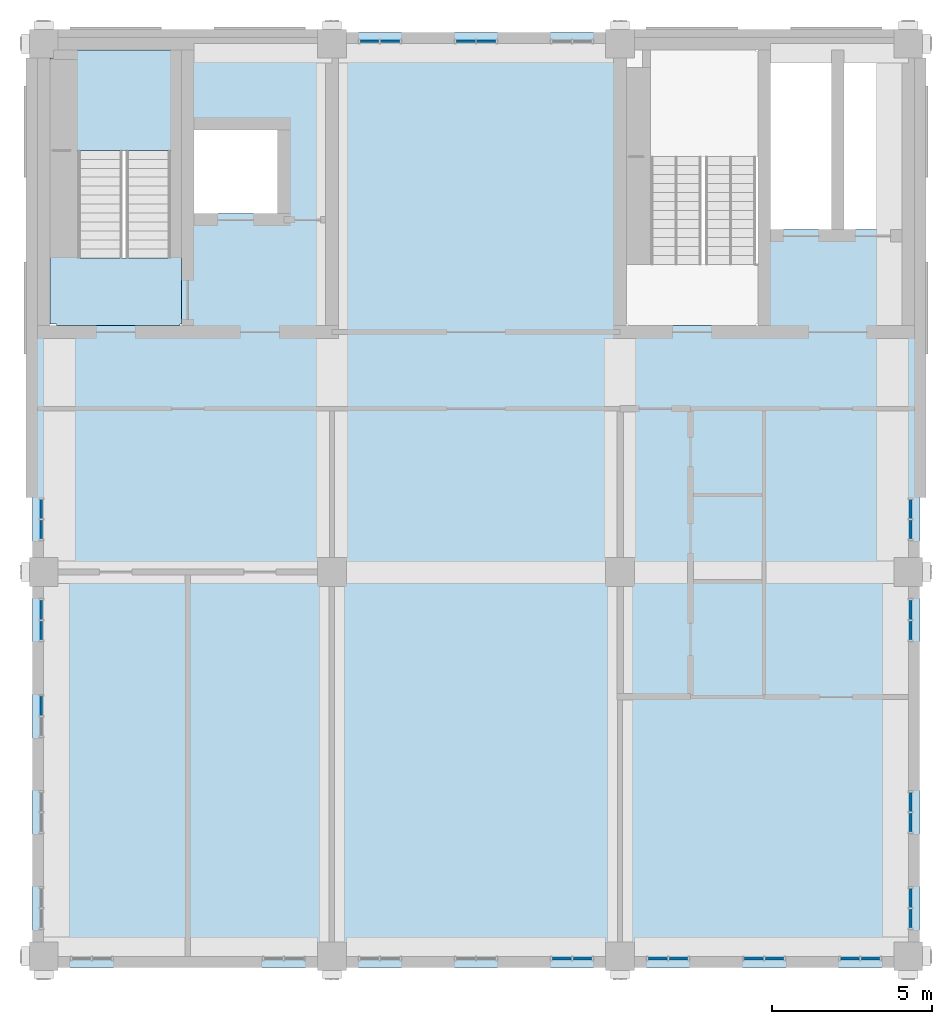
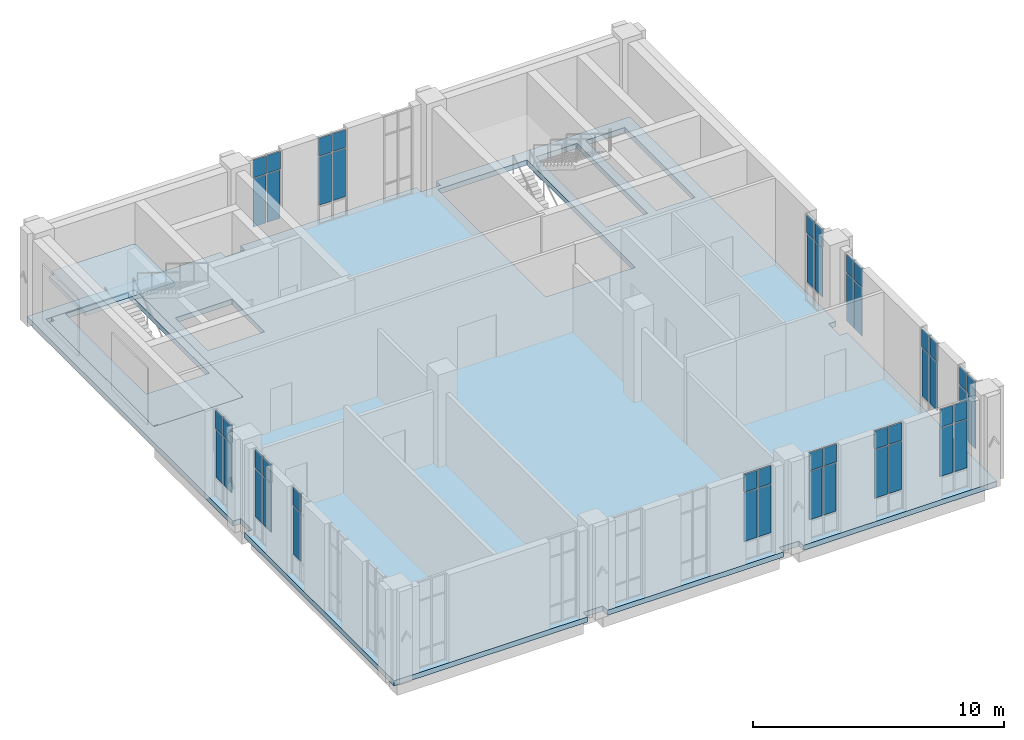
# One storey, part 7 of 13: 50 plates, 3 slabs, 14 elements without a shape of their own.
"""IFC4 building model written with IfcOpenShell, lengths in metres."""

from ifc_helpers import new_model, si_unit, direction, frame, origin, origin_2d, place, context, subcontext, project, spatial, polyline, rectangle, outline, extrude, material, layer, layer_set, type_object, element, aggregate, save


model = new_model("IFC4")

# Units and contexts
model_context = context("Model", 3, precision=1e-05, world=origin(), true_north=direction((0.0, 1.0)))
body_context = subcontext(model_context, "Body", "Model", "MODEL_VIEW")
ifc_project = project(units=[si_unit("LENGTHUNIT", "METRE"), si_unit("AREAUNIT", "SQUARE_METRE"), si_unit("VOLUMEUNIT", "CUBIC_METRE"), si_unit("PLANEANGLEUNIT", "RADIAN"), si_unit("MASSUNIT", "GRAM", prefix="KILO")], contexts=[model_context])

# Site, building, storey
site_placement = place(None, origin())
site = spatial("IfcSite", under=ifc_project, at=site_placement, CompositionType="ELEMENT")
building_placement = place(site_placement, origin())
building = spatial("IfcBuilding", under=site, at=building_placement, Name="Aurelan Courthouse", CompositionType="ELEMENT")
storey_placement = place(building_placement, frame((0.0, 0.0, 48.89990234375)))
storey = spatial("IfcBuildingStorey", under=building, at=storey_placement, Name="L09", CompositionType="ELEMENT", Elevation=48.89990234375)

# Curtain wall, plates
ifc_material_1 = material(Name="Bronze-finished aluminium and glass", Category="aluminium")
ifc_layer_1 = layer(ifc_material_1, 0.14990234375)
ifc_layer_set_1 = layer_set([ifc_layer_1], Name="Bronze-finished aluminium and glass")
curtain_wall_type = type_object("IfcCurtainWallType", Name="Curtain wall 1350 x 4250", PredefinedType="NOTDEFINED", material=ifc_layer_set_1)
curtain_wall_1_placement = place(storey_placement, origin())
curtain_wall_1 = element("IfcCurtainWall", 1, at=curtain_wall_1_placement, inside=storey, type_object=curtain_wall_type, Name="Curtain wall CW-V5-L09-S05", PredefinedType="NOTDEFINED")
ifc_material_2 = material(Name="Limestone cladding", Category="masonry")
ifc_layer_2 = layer(ifc_material_2, 0.0400390625, Name="Facing")
ifc_material_3 = material(Name="Bronze sheet cladding", Category="bronze")
ifc_layer_3 = layer(ifc_material_3, 0.02001953125, Name="Back sheet")
ifc_layer_set_2 = layer_set([ifc_layer_2, ifc_layer_3], Name="Limestone cladding")
plate_type_1 = type_object("IfcPlateType", Name="Limestone spandrel panel with bronze back sheet 60", PredefinedType="CURTAIN_PANEL", material=ifc_layer_set_2)
plate_1_placement = place(storey_placement, frame((16.177490234375, -0.074951171875, 3.330078125), z_axis=(0.0, 0.0, 1.0), x_axis=(1.0, 0.0, 0.0)))
plate_1 = element("IfcPlate", 2, at=plate_1_placement, type_object=plate_type_1, Name="CW-V5-L09-S05 spandrel panel 1.3", PredefinedType="CURTAIN_PANEL", context=body_context, shape_type="SweptSolid", body=[
    extrude(rectangle(XDim=0.5849609375, YDim=0.06005859375, at=origin_2d()), origin(), (0.0, 0.0, 1.0), 0.860107421875),
])
plate_2_placement = place(storey_placement, frame((16.822509765625, -0.074951171875, 3.330078125), z_axis=(0.0, 0.0, 1.0), x_axis=(1.0, 0.0, 0.0)))
plate_2 = element("IfcPlate", 3, at=plate_2_placement, type_object=plate_type_1, Name="CW-V5-L09-S05 spandrel panel 2.3", PredefinedType="CURTAIN_PANEL", context=body_context, shape_type="SweptSolid", body=[
    extrude(rectangle(XDim=0.5849609375, YDim=0.06005859375, at=origin_2d()), origin(), (0.0, 0.0, 1.0), 0.860107421875),
])

curtain_wall_2_placement = place(storey_placement, origin())
curtain_wall_2 = element("IfcCurtainWall", 4, at=curtain_wall_2_placement, inside=storey, type_object=curtain_wall_type, Name="Curtain wall CW-V5-L09-S06", PredefinedType="NOTDEFINED")
plate_3_placement = place(storey_placement, frame((19.177490234375, -0.074951171875, 3.330078125), z_axis=(0.0, 0.0, 1.0), x_axis=(1.0, 0.0, 0.0)))
plate_3 = element("IfcPlate", 5, at=plate_3_placement, type_object=plate_type_1, Name="CW-V5-L09-S06 spandrel panel 1.3", PredefinedType="CURTAIN_PANEL", context=body_context, shape_type="SweptSolid", body=[
    extrude(rectangle(XDim=0.5849609375, YDim=0.06005859375, at=origin_2d()), origin(), (0.0, 0.0, 1.0), 0.860107421875),
])
plate_4_placement = place(storey_placement, frame((19.822509765625, -0.074951171875, 3.330078125), z_axis=(0.0, 0.0, 1.0), x_axis=(1.0, 0.0, 0.0)))
plate_4 = element("IfcPlate", 6, at=plate_4_placement, type_object=plate_type_1, Name="CW-V5-L09-S06 spandrel panel 2.3", PredefinedType="CURTAIN_PANEL", context=body_context, shape_type="SweptSolid", body=[
    extrude(rectangle(XDim=0.5849609375, YDim=0.06005859375, at=origin_2d()), origin(), (0.0, 0.0, 1.0), 0.860107421875),
])

curtain_wall_3_placement = place(storey_placement, origin())
curtain_wall_3 = element("IfcCurtainWall", 7, at=curtain_wall_3_placement, inside=storey, type_object=curtain_wall_type, Name="Curtain wall CW-V5-L09-S07", PredefinedType="NOTDEFINED")
plate_5_placement = place(storey_placement, frame((22.177490234375, -0.074951171875, 3.330078125), z_axis=(0.0, 0.0, 1.0), x_axis=(1.0, 0.0, 0.0)))
plate_5 = element("IfcPlate", 8, at=plate_5_placement, type_object=plate_type_1, Name="CW-V5-L09-S07 spandrel panel 1.3", PredefinedType="CURTAIN_PANEL", context=body_context, shape_type="SweptSolid", body=[
    extrude(rectangle(XDim=0.5849609375, YDim=0.06005859375, at=origin_2d()), origin(), (0.0, 0.0, 1.0), 0.860107421875),
])
plate_6_placement = place(storey_placement, frame((22.822509765625, -0.074951171875, 3.330078125), z_axis=(0.0, 0.0, 1.0), x_axis=(1.0, 0.0, 0.0)))
plate_6 = element("IfcPlate", 9, at=plate_6_placement, type_object=plate_type_1, Name="CW-V5-L09-S07 spandrel panel 2.3", PredefinedType="CURTAIN_PANEL", context=body_context, shape_type="SweptSolid", body=[
    extrude(rectangle(XDim=0.5849609375, YDim=0.06005859375, at=origin_2d()), origin(), (0.0, 0.0, 1.0), 0.860107421875),
])

curtain_wall_4_placement = place(storey_placement, origin())
curtain_wall_4 = element("IfcCurtainWall", 10, at=curtain_wall_4_placement, inside=storey, type_object=curtain_wall_type, Name="Curtain wall CW-V5-L09-S08", PredefinedType="NOTDEFINED")
plate_7_placement = place(storey_placement, frame((25.177490234375, -0.074951171875, 3.330078125), z_axis=(0.0, 0.0, 1.0), x_axis=(1.0, 0.0, 0.0)))
plate_7 = element("IfcPlate", 11, at=plate_7_placement, type_object=plate_type_1, Name="CW-V5-L09-S08 spandrel panel 1.3", PredefinedType="CURTAIN_PANEL", context=body_context, shape_type="SweptSolid", body=[
    extrude(rectangle(XDim=0.5849609375, YDim=0.06005859375, at=origin_2d()), origin(), (0.0, 0.0, 1.0), 0.860107421875),
])
plate_8_placement = place(storey_placement, frame((25.822509765625, -0.074951171875, 3.330078125), z_axis=(0.0, 0.0, 1.0), x_axis=(1.0, 0.0, 0.0)))
plate_8 = element("IfcPlate", 12, at=plate_8_placement, type_object=plate_type_1, Name="CW-V5-L09-S08 spandrel panel 2.3", PredefinedType="CURTAIN_PANEL", context=body_context, shape_type="SweptSolid", body=[
    extrude(rectangle(XDim=0.5849609375, YDim=0.06005859375, at=origin_2d()), origin(), (0.0, 0.0, 1.0), 0.860107421875),
])

curtain_wall_5_placement = place(storey_placement, origin())
curtain_wall_5 = element("IfcCurtainWall", 13, at=curtain_wall_5_placement, inside=storey, type_object=curtain_wall_type, Name="Curtain wall CW-V5-L09-N01", PredefinedType="NOTDEFINED")
plate_9_placement = place(storey_placement, frame((10.177490234375, 28.574951171875, 3.330078125), z_axis=(0.0, 0.0, 1.0), x_axis=(1.0, 0.0, 0.0)))
plate_9 = element("IfcPlate", 14, at=plate_9_placement, type_object=plate_type_1, Name="CW-V5-L09-N01 spandrel panel 1.3", PredefinedType="CURTAIN_PANEL", context=body_context, shape_type="SweptSolid", body=[
    extrude(rectangle(XDim=0.5849609375, YDim=0.06005859375, at=origin_2d()), origin(), (0.0, 0.0, 1.0), 0.860107421875),
])
plate_10_placement = place(storey_placement, frame((10.822509765625, 28.574951171875, 3.330078125), z_axis=(0.0, 0.0, 1.0), x_axis=(1.0, 0.0, 0.0)))
plate_10 = element("IfcPlate", 15, at=plate_10_placement, type_object=plate_type_1, Name="CW-V5-L09-N01 spandrel panel 2.3", PredefinedType="CURTAIN_PANEL", context=body_context, shape_type="SweptSolid", body=[
    extrude(rectangle(XDim=0.5849609375, YDim=0.06005859375, at=origin_2d()), origin(), (0.0, 0.0, 1.0), 0.860107421875),
])

curtain_wall_6_placement = place(storey_placement, origin())
curtain_wall_6 = element("IfcCurtainWall", 16, at=curtain_wall_6_placement, inside=storey, type_object=curtain_wall_type, Name="Curtain wall CW-V5-L09-N02", PredefinedType="NOTDEFINED")
plate_11_placement = place(storey_placement, frame((13.177490234375, 28.574951171875, 3.330078125), z_axis=(0.0, 0.0, 1.0), x_axis=(1.0, 0.0, 0.0)))
plate_11 = element("IfcPlate", 17, at=plate_11_placement, type_object=plate_type_1, Name="CW-V5-L09-N02 spandrel panel 1.3", PredefinedType="CURTAIN_PANEL", context=body_context, shape_type="SweptSolid", body=[
    extrude(rectangle(XDim=0.5849609375, YDim=0.06005859375, at=origin_2d()), origin(), (0.0, 0.0, 1.0), 0.860107421875),
])
plate_12_placement = place(storey_placement, frame((13.822509765625, 28.574951171875, 3.330078125), z_axis=(0.0, 0.0, 1.0), x_axis=(1.0, 0.0, 0.0)))
plate_12 = element("IfcPlate", 18, at=plate_12_placement, type_object=plate_type_1, Name="CW-V5-L09-N02 spandrel panel 2.3", PredefinedType="CURTAIN_PANEL", context=body_context, shape_type="SweptSolid", body=[
    extrude(rectangle(XDim=0.5849609375, YDim=0.06005859375, at=origin_2d()), origin(), (0.0, 0.0, 1.0), 0.860107421875),
])

curtain_wall_7_placement = place(storey_placement, origin())
curtain_wall_7 = element("IfcCurtainWall", 19, at=curtain_wall_7_placement, inside=storey, type_object=curtain_wall_type, Name="Curtain wall CW-V5-L09-E01", PredefinedType="NOTDEFINED")
plate_13_placement = place(storey_placement, frame((27.074951171875, 1.177490234375, 3.330078125), z_axis=(0.0, 0.0, 1.0), x_axis=(0.0, 1.0, 0.0)))
plate_13 = element("IfcPlate", 20, at=plate_13_placement, type_object=plate_type_1, Name="CW-V5-L09-E01 spandrel panel 1.3", PredefinedType="CURTAIN_PANEL", context=body_context, shape_type="SweptSolid", body=[
    extrude(rectangle(XDim=0.5849609375, YDim=0.06005859375, at=origin_2d()), origin(), (0.0, 0.0, 1.0), 0.860107421875),
])
plate_14_placement = place(storey_placement, frame((27.074951171875, 1.822509765625, 3.330078125), z_axis=(0.0, 0.0, 1.0), x_axis=(0.0, 1.0, 0.0)))
plate_14 = element("IfcPlate", 21, at=plate_14_placement, type_object=plate_type_1, Name="CW-V5-L09-E01 spandrel panel 2.3", PredefinedType="CURTAIN_PANEL", context=body_context, shape_type="SweptSolid", body=[
    extrude(rectangle(XDim=0.5849609375, YDim=0.06005859375, at=origin_2d()), origin(), (0.0, 0.0, 1.0), 0.860107421875),
])

curtain_wall_8_placement = place(storey_placement, origin())
curtain_wall_8 = element("IfcCurtainWall", 22, at=curtain_wall_8_placement, inside=storey, type_object=curtain_wall_type, Name="Curtain wall CW-V5-L09-E02", PredefinedType="NOTDEFINED")
plate_15_placement = place(storey_placement, frame((27.074951171875, 4.177490234375, 3.330078125), z_axis=(0.0, 0.0, 1.0), x_axis=(0.0, 1.0, 0.0)))
plate_15 = element("IfcPlate", 23, at=plate_15_placement, type_object=plate_type_1, Name="CW-V5-L09-E02 spandrel panel 1.3", PredefinedType="CURTAIN_PANEL", context=body_context, shape_type="SweptSolid", body=[
    extrude(rectangle(XDim=0.5849609375, YDim=0.06005859375, at=origin_2d()), origin(), (0.0, 0.0, 1.0), 0.860107421875),
])
plate_16_placement = place(storey_placement, frame((27.074951171875, 4.822509765625, 3.330078125), z_axis=(0.0, 0.0, 1.0), x_axis=(0.0, 1.0, 0.0)))
plate_16 = element("IfcPlate", 24, at=plate_16_placement, type_object=plate_type_1, Name="CW-V5-L09-E02 spandrel panel 2.3", PredefinedType="CURTAIN_PANEL", context=body_context, shape_type="SweptSolid", body=[
    extrude(rectangle(XDim=0.5849609375, YDim=0.06005859375, at=origin_2d()), origin(), (0.0, 0.0, 1.0), 0.860107421875),
])

curtain_wall_9_placement = place(storey_placement, origin())
curtain_wall_9 = element("IfcCurtainWall", 25, at=curtain_wall_9_placement, inside=storey, type_object=curtain_wall_type, Name="Curtain wall CW-V5-L09-E03", PredefinedType="NOTDEFINED")
plate_17_placement = place(storey_placement, frame((27.074951171875, 10.177490234375, 3.330078125), z_axis=(0.0, 0.0, 1.0), x_axis=(0.0, 1.0, 0.0)))
plate_17 = element("IfcPlate", 26, at=plate_17_placement, type_object=plate_type_1, Name="CW-V5-L09-E03 spandrel panel 1.3", PredefinedType="CURTAIN_PANEL", context=body_context, shape_type="SweptSolid", body=[
    extrude(rectangle(XDim=0.5849609375, YDim=0.06005859375, at=origin_2d()), origin(), (0.0, 0.0, 1.0), 0.860107421875),
])
plate_18_placement = place(storey_placement, frame((27.074951171875, 10.822509765625, 3.330078125), z_axis=(0.0, 0.0, 1.0), x_axis=(0.0, 1.0, 0.0)))
plate_18 = element("IfcPlate", 27, at=plate_18_placement, type_object=plate_type_1, Name="CW-V5-L09-E03 spandrel panel 2.3", PredefinedType="CURTAIN_PANEL", context=body_context, shape_type="SweptSolid", body=[
    extrude(rectangle(XDim=0.5849609375, YDim=0.06005859375, at=origin_2d()), origin(), (0.0, 0.0, 1.0), 0.860107421875),
])

curtain_wall_10_placement = place(storey_placement, origin())
curtain_wall_10 = element("IfcCurtainWall", 28, at=curtain_wall_10_placement, inside=storey, type_object=curtain_wall_type, Name="Curtain wall CW-V5-L09-E04", PredefinedType="NOTDEFINED")
plate_19_placement = place(storey_placement, frame((27.074951171875, 13.327392578125, 3.330078125), z_axis=(0.0, 0.0, 1.0), x_axis=(0.0, 1.0, 0.0)))
plate_19 = element("IfcPlate", 29, at=plate_19_placement, type_object=plate_type_1, Name="CW-V5-L09-E04 spandrel panel 1.3", PredefinedType="CURTAIN_PANEL", context=body_context, shape_type="SweptSolid", body=[
    extrude(rectangle(XDim=0.5849609375, YDim=0.06005859375, at=origin_2d()), origin(), (0.0, 0.0, 1.0), 0.860107421875),
])
plate_20_placement = place(storey_placement, frame((27.074951171875, 13.972412109375, 3.330078125), z_axis=(0.0, 0.0, 1.0), x_axis=(0.0, 1.0, 0.0)))
plate_20 = element("IfcPlate", 30, at=plate_20_placement, type_object=plate_type_1, Name="CW-V5-L09-E04 spandrel panel 2.3", PredefinedType="CURTAIN_PANEL", context=body_context, shape_type="SweptSolid", body=[
    extrude(rectangle(XDim=0.5849609375, YDim=0.06005859375, at=origin_2d()), origin(), (0.0, 0.0, 1.0), 0.860107421875),
])

# Curtain wall, plate
curtain_wall_11_placement = place(storey_placement, origin())
curtain_wall_11 = element("IfcCurtainWall", 31, at=curtain_wall_11_placement, inside=storey, type_object=curtain_wall_type, Name="Curtain wall CW-V5-L09-W03", PredefinedType="NOTDEFINED")
plate_21_placement = place(storey_placement, frame((-0.074951171875, 7.822509765625, 3.330078125), z_axis=(0.0, 0.0, 1.0), x_axis=(0.0, 1.0, 0.0)))
plate_21 = element("IfcPlate", 32, at=plate_21_placement, type_object=plate_type_1, Name="CW-V5-L09-W03 spandrel panel 2.3", PredefinedType="CURTAIN_PANEL", context=body_context, shape_type="SweptSolid", body=[
    extrude(rectangle(XDim=0.5849609375, YDim=0.06005859375, at=origin_2d()), origin(), (0.0, 0.0, 1.0), 0.860107421875),
])

# Curtain wall, plates
curtain_wall_12_placement = place(storey_placement, origin())
curtain_wall_12 = element("IfcCurtainWall", 33, at=curtain_wall_12_placement, inside=storey, type_object=curtain_wall_type, Name="Curtain wall CW-V5-L09-W04", PredefinedType="NOTDEFINED")
plate_22_placement = place(storey_placement, frame((-0.074951171875, 10.177490234375, 3.330078125), z_axis=(0.0, 0.0, 1.0), x_axis=(0.0, 1.0, 0.0)))
plate_22 = element("IfcPlate", 34, at=plate_22_placement, type_object=plate_type_1, Name="CW-V5-L09-W04 spandrel panel 1.3", PredefinedType="CURTAIN_PANEL", context=body_context, shape_type="SweptSolid", body=[
    extrude(rectangle(XDim=0.5849609375, YDim=0.06005859375, at=origin_2d()), origin(), (0.0, 0.0, 1.0), 0.860107421875),
])
plate_23_placement = place(storey_placement, frame((-0.074951171875, 10.822509765625, 3.330078125), z_axis=(0.0, 0.0, 1.0), x_axis=(0.0, 1.0, 0.0)))
plate_23 = element("IfcPlate", 35, at=plate_23_placement, type_object=plate_type_1, Name="CW-V5-L09-W04 spandrel panel 2.3", PredefinedType="CURTAIN_PANEL", context=body_context, shape_type="SweptSolid", body=[
    extrude(rectangle(XDim=0.5849609375, YDim=0.06005859375, at=origin_2d()), origin(), (0.0, 0.0, 1.0), 0.860107421875),
])

curtain_wall_13_placement = place(storey_placement, origin())
curtain_wall_13 = element("IfcCurtainWall", 36, at=curtain_wall_13_placement, inside=storey, type_object=curtain_wall_type, Name="Curtain wall CW-V5-L09-W05", PredefinedType="NOTDEFINED")
plate_24_placement = place(storey_placement, frame((-0.074951171875, 13.327392578125, 3.330078125), z_axis=(0.0, 0.0, 1.0), x_axis=(0.0, 1.0, 0.0)))
plate_24 = element("IfcPlate", 37, at=plate_24_placement, type_object=plate_type_1, Name="CW-V5-L09-W05 spandrel panel 1.3", PredefinedType="CURTAIN_PANEL", context=body_context, shape_type="SweptSolid", body=[
    extrude(rectangle(XDim=0.5849609375, YDim=0.06005859375, at=origin_2d()), origin(), (0.0, 0.0, 1.0), 0.860107421875),
])
plate_25_placement = place(storey_placement, frame((-0.074951171875, 13.972412109375, 3.330078125), z_axis=(0.0, 0.0, 1.0), x_axis=(0.0, 1.0, 0.0)))
plate_25 = element("IfcPlate", 38, at=plate_25_placement, type_object=plate_type_1, Name="CW-V5-L09-W05 spandrel panel 2.3", PredefinedType="CURTAIN_PANEL", context=body_context, shape_type="SweptSolid", body=[
    extrude(rectangle(XDim=0.5849609375, YDim=0.06005859375, at=origin_2d()), origin(), (0.0, 0.0, 1.0), 0.860107421875),
])

# Slab
ifc_material_4 = material(Name="Concrete C40", Category="concrete")
ifc_layer_4 = layer(ifc_material_4, 0.25)
ifc_layer_set_3 = layer_set([ifc_layer_4], Name="Concrete C40")
slab_type_1 = type_object("IfcSlabType", Name="PT floor slab 250", PredefinedType="FLOOR", material=ifc_layer_set_3)
slab_1_placement = place(storey_placement, frame((0.0, 0.0, -0.25)))
element("IfcSlab", 39, at=slab_1_placement, inside=storey, type_object=slab_type_1, Name="Floor slab SL-L09-01", PredefinedType="FLOOR", context=body_context, shape_type="SweptSolid", body=[
    extrude(outline(polyline([(0.0, 12.449951171875), (0.0, 11.550048828125), (-0.35009765625, 11.550048828125), (-0.35009765625, 0.449951171875), (-0.35009765625, -0.35009765625), (0.449951171875, -0.35009765625), (8.550048828125, -0.35009765625), (8.550048828125, 0.0), (9.449951171875, 0.0), (9.449951171875, -0.35009765625), (17.550048828125, -0.35009765625), (17.550048828125, 0.0), (18.449951171875, 0.0), (18.449951171875, -0.35009765625), (26.550048828125, -0.35009765625), (27.35009765625, -0.35009765625), (27.35009765625, 0.449951171875), (27.35009765625, 11.550048828125), (27.0, 11.550048828125), (27.0, 12.449951171875), (27.35009765625, 12.449951171875), (27.35009765625, 28.050048828125), (27.35009765625, 28.85009765625), (26.550048828125, 28.85009765625), (18.449951171875, 28.85009765625), (18.449951171875, 28.5), (17.550048828125, 28.5), (17.550048828125, 28.85009765625), (9.449951171875, 28.85009765625), (9.449951171875, 28.5), (8.550048828125, 28.5), (8.550048828125, 28.85009765625), (0.449951171875, 28.85009765625), (-0.35009765625, 28.85009765625), (-0.35009765625, 28.050048828125), (-0.35009765625, 12.449951171875), (0.0, 12.449951171875)]), holes=[polyline([(26.800048828125, 28.300048828125), (26.800048828125, 22.699951171875), (25.0, 22.699951171875), (25.0, 28.300048828125), (26.800048828125, 28.300048828125)]), polyline([(22.699951171875, 28.300048828125), (24.60009765625, 28.300048828125), (24.60009765625, 22.699951171875), (22.699951171875, 22.699951171875), (22.699951171875, 28.300048828125)]), polyline([(22.300048828125, 28.300048828125), (22.300048828125, 19.699951171875), (18.199951171875, 19.699951171875), (18.199951171875, 28.300048828125), (22.300048828125, 28.300048828125)]), polyline([(4.699951171875, 23.199951171875), (4.699951171875, 25.800048828125), (7.300048828125, 25.800048828125), (7.300048828125, 23.199951171875), (4.699951171875, 23.199951171875)]), polyline([(4.300048828125, 19.699951171875), (0.199951171875, 19.699951171875), (0.199951171875, 28.300048828125), (4.300048828125, 28.300048828125), (4.300048828125, 19.699951171875)])]), origin(), (0.0, 0.0, 1.0), 0.25),
])

# Stair, slabs
ifc_material_5 = material(Name="Concrete C30", Category="concrete")
stair_type = type_object("IfcStairType", Name="Half-turn stair 1400 wide 26 risers", PredefinedType="HALF_TURN_STAIR", material=ifc_material_5)
stair_placement = place(storey_placement, origin())
stair = element("IfcStair", 40, at=stair_placement, inside=storey, type_object=stair_type, Name="Stair ST-5B-L09", PredefinedType="HALF_TURN_STAIR")
ifc_layer_5 = layer(ifc_material_5, 0.25)
ifc_layer_set_4 = layer_set([ifc_layer_5], Name="Concrete C30")
slab_type_2 = type_object("IfcSlabType", Name="Stair floor landing 250 thick", PredefinedType="LANDING", material=ifc_layer_set_4)
slab_2_placement = place(storey_placement, frame((0.0, 0.0, -0.25)))
slab_2 = element("IfcSlab", 41, at=slab_2_placement, type_object=slab_type_2, Name="Stair ST-5B-L09 floor landing", PredefinedType="LANDING", context=body_context, shape_type="SweptSolid", body=[
    extrude(outline(polyline([(0.39990234375, 19.699951171875), (0.39990234375, 19.75), (0.199951171875, 19.75), (0.199951171875, 28.050048828125), (0.449951171875, 28.050048828125), (0.449951171875, 28.300048828125), (4.25, 28.300048828125), (4.25, 28.25), (4.300048828125, 28.25), (4.300048828125, 19.75), (4.25, 19.75), (4.25, 19.699951171875), (0.39990234375, 19.699951171875)]), holes=[polyline([(3.9599609375, 21.81103515625), (3.9599609375, 28.239990234375), (1.06005859375, 28.239990234375), (1.06005859375, 21.81103515625), (2.56005859375, 21.81103515625), (3.9599609375, 21.81103515625)])]), origin(), (0.0, 0.0, 1.0), 0.25),
])
ifc_layer_6 = layer(ifc_material_5, 0.199951171875)
ifc_layer_set_5 = layer_set([ifc_layer_6], Name="Concrete C30")
slab_type_3 = type_object("IfcSlabType", Name="Stair half landing 200 thick", PredefinedType="LANDING", material=ifc_layer_set_5)
slab_3_placement = place(storey_placement, frame((0.0, 0.0, 2.050048828125)))
slab_3 = element("IfcSlab", 42, at=slab_3_placement, type_object=slab_type_3, Name="Stair ST-5B-L09 half landing", PredefinedType="LANDING", context=body_context, shape_type="SweptSolid", body=[
    extrude(outline(polyline([(4.300048828125, 25.169921875), (0.199951171875, 25.169921875), (0.199951171875, 28.050048828125), (0.449951171875, 28.050048828125), (0.449951171875, 28.300048828125), (4.25, 28.300048828125), (4.25, 28.25), (4.300048828125, 28.25), (4.300048828125, 25.169921875)])), origin(), (0.0, 0.0, 1.0), 0.199951171875),
])
aggregate(stair, [slab_3, slab_2])

# Plate
ifc_material_6 = material(Name="Laminated low-emissivity glass", Category="glass")
ifc_layer_7 = layer(ifc_material_6, 0.028076171875)
ifc_layer_set_6 = layer_set([ifc_layer_7], Name="Laminated low-emissivity glass")
plate_type_2 = type_object("IfcPlateType", Name="Vision glass panel 28", PredefinedType="CURTAIN_PANEL", material=ifc_layer_set_6)
plate_26_placement = place(storey_placement, frame((16.177490234375, -0.074951171875, 0.93017578125), z_axis=(0.0, 0.0, 1.0), x_axis=(1.0, 0.0, 0.0)))
plate_26 = element("IfcPlate", 43, at=plate_26_placement, type_object=plate_type_2, Name="CW-V5-L09-S05 vision panel 1.2", PredefinedType="CURTAIN_PANEL", context=body_context, shape_type="SweptSolid", body=[
    extrude(rectangle(XDim=0.5849609375, YDim=0.028076171875, at=origin_2d()), origin(), (0.0, 0.0, 1.0), 2.340087890625),
])

plate_27_placement = place(storey_placement, frame((16.822509765625, -0.074951171875, 0.93017578125), z_axis=(0.0, 0.0, 1.0), x_axis=(1.0, 0.0, 0.0)))
plate_27 = element("IfcPlate", 44, at=plate_27_placement, type_object=plate_type_2, Name="CW-V5-L09-S05 vision panel 2.2", PredefinedType="CURTAIN_PANEL", context=body_context, shape_type="SweptSolid", body=[
    extrude(rectangle(XDim=0.5849609375, YDim=0.028076171875, at=origin_2d()), origin(), (0.0, 0.0, 1.0), 2.340087890625),
])

aggregate(curtain_wall_1, [plate_26, plate_1, plate_27, plate_2])

plate_28_placement = place(storey_placement, frame((19.177490234375, -0.074951171875, 0.93017578125), z_axis=(0.0, 0.0, 1.0), x_axis=(1.0, 0.0, 0.0)))
plate_28 = element("IfcPlate", 45, at=plate_28_placement, type_object=plate_type_2, Name="CW-V5-L09-S06 vision panel 1.2", PredefinedType="CURTAIN_PANEL", context=body_context, shape_type="SweptSolid", body=[
    extrude(rectangle(XDim=0.5849609375, YDim=0.028076171875, at=origin_2d()), origin(), (0.0, 0.0, 1.0), 2.340087890625),
])

plate_29_placement = place(storey_placement, frame((19.822509765625, -0.074951171875, 0.93017578125), z_axis=(0.0, 0.0, 1.0), x_axis=(1.0, 0.0, 0.0)))
plate_29 = element("IfcPlate", 46, at=plate_29_placement, type_object=plate_type_2, Name="CW-V5-L09-S06 vision panel 2.2", PredefinedType="CURTAIN_PANEL", context=body_context, shape_type="SweptSolid", body=[
    extrude(rectangle(XDim=0.5849609375, YDim=0.028076171875, at=origin_2d()), origin(), (0.0, 0.0, 1.0), 2.340087890625),
])

aggregate(curtain_wall_2, [plate_28, plate_3, plate_29, plate_4])

plate_30_placement = place(storey_placement, frame((22.177490234375, -0.074951171875, 0.93017578125), z_axis=(0.0, 0.0, 1.0), x_axis=(1.0, 0.0, 0.0)))
plate_30 = element("IfcPlate", 47, at=plate_30_placement, type_object=plate_type_2, Name="CW-V5-L09-S07 vision panel 1.2", PredefinedType="CURTAIN_PANEL", context=body_context, shape_type="SweptSolid", body=[
    extrude(rectangle(XDim=0.5849609375, YDim=0.028076171875, at=origin_2d()), origin(), (0.0, 0.0, 1.0), 2.340087890625),
])

plate_31_placement = place(storey_placement, frame((22.822509765625, -0.074951171875, 0.93017578125), z_axis=(0.0, 0.0, 1.0), x_axis=(1.0, 0.0, 0.0)))
plate_31 = element("IfcPlate", 48, at=plate_31_placement, type_object=plate_type_2, Name="CW-V5-L09-S07 vision panel 2.2", PredefinedType="CURTAIN_PANEL", context=body_context, shape_type="SweptSolid", body=[
    extrude(rectangle(XDim=0.5849609375, YDim=0.028076171875, at=origin_2d()), origin(), (0.0, 0.0, 1.0), 2.340087890625),
])

aggregate(curtain_wall_3, [plate_30, plate_5, plate_31, plate_6])

plate_32_placement = place(storey_placement, frame((25.177490234375, -0.074951171875, 0.93017578125), z_axis=(0.0, 0.0, 1.0), x_axis=(1.0, 0.0, 0.0)))
plate_32 = element("IfcPlate", 49, at=plate_32_placement, type_object=plate_type_2, Name="CW-V5-L09-S08 vision panel 1.2", PredefinedType="CURTAIN_PANEL", context=body_context, shape_type="SweptSolid", body=[
    extrude(rectangle(XDim=0.5849609375, YDim=0.028076171875, at=origin_2d()), origin(), (0.0, 0.0, 1.0), 2.340087890625),
])

plate_33_placement = place(storey_placement, frame((25.822509765625, -0.074951171875, 0.93017578125), z_axis=(0.0, 0.0, 1.0), x_axis=(1.0, 0.0, 0.0)))
plate_33 = element("IfcPlate", 50, at=plate_33_placement, type_object=plate_type_2, Name="CW-V5-L09-S08 vision panel 2.2", PredefinedType="CURTAIN_PANEL", context=body_context, shape_type="SweptSolid", body=[
    extrude(rectangle(XDim=0.5849609375, YDim=0.028076171875, at=origin_2d()), origin(), (0.0, 0.0, 1.0), 2.340087890625),
])

aggregate(curtain_wall_4, [plate_32, plate_7, plate_33, plate_8])

plate_34_placement = place(storey_placement, frame((10.177490234375, 28.574951171875, 0.93017578125), z_axis=(0.0, 0.0, 1.0), x_axis=(1.0, 0.0, 0.0)))
plate_34 = element("IfcPlate", 51, at=plate_34_placement, type_object=plate_type_2, Name="CW-V5-L09-N01 vision panel 1.2", PredefinedType="CURTAIN_PANEL", context=body_context, shape_type="SweptSolid", body=[
    extrude(rectangle(XDim=0.5849609375, YDim=0.028076171875, at=origin_2d()), origin(), (0.0, 0.0, 1.0), 2.340087890625),
])

plate_35_placement = place(storey_placement, frame((10.822509765625, 28.574951171875, 0.93017578125), z_axis=(0.0, 0.0, 1.0), x_axis=(1.0, 0.0, 0.0)))
plate_35 = element("IfcPlate", 52, at=plate_35_placement, type_object=plate_type_2, Name="CW-V5-L09-N01 vision panel 2.2", PredefinedType="CURTAIN_PANEL", context=body_context, shape_type="SweptSolid", body=[
    extrude(rectangle(XDim=0.5849609375, YDim=0.028076171875, at=origin_2d()), origin(), (0.0, 0.0, 1.0), 2.340087890625),
])

aggregate(curtain_wall_5, [plate_34, plate_9, plate_35, plate_10])

plate_36_placement = place(storey_placement, frame((13.177490234375, 28.574951171875, 0.93017578125), z_axis=(0.0, 0.0, 1.0), x_axis=(1.0, 0.0, 0.0)))
plate_36 = element("IfcPlate", 53, at=plate_36_placement, type_object=plate_type_2, Name="CW-V5-L09-N02 vision panel 1.2", PredefinedType="CURTAIN_PANEL", context=body_context, shape_type="SweptSolid", body=[
    extrude(rectangle(XDim=0.5849609375, YDim=0.028076171875, at=origin_2d()), origin(), (0.0, 0.0, 1.0), 2.340087890625),
])

plate_37_placement = place(storey_placement, frame((13.822509765625, 28.574951171875, 0.93017578125), z_axis=(0.0, 0.0, 1.0), x_axis=(1.0, 0.0, 0.0)))
plate_37 = element("IfcPlate", 54, at=plate_37_placement, type_object=plate_type_2, Name="CW-V5-L09-N02 vision panel 2.2", PredefinedType="CURTAIN_PANEL", context=body_context, shape_type="SweptSolid", body=[
    extrude(rectangle(XDim=0.5849609375, YDim=0.028076171875, at=origin_2d()), origin(), (0.0, 0.0, 1.0), 2.340087890625),
])

aggregate(curtain_wall_6, [plate_36, plate_11, plate_37, plate_12])

plate_38_placement = place(storey_placement, frame((27.074951171875, 1.177490234375, 0.93017578125), z_axis=(0.0, 0.0, 1.0), x_axis=(0.0, 1.0, 0.0)))
plate_38 = element("IfcPlate", 55, at=plate_38_placement, type_object=plate_type_2, Name="CW-V5-L09-E01 vision panel 1.2", PredefinedType="CURTAIN_PANEL", context=body_context, shape_type="SweptSolid", body=[
    extrude(rectangle(XDim=0.5849609375, YDim=0.028076171875, at=origin_2d()), origin(), (0.0, 0.0, 1.0), 2.340087890625),
])

plate_39_placement = place(storey_placement, frame((27.074951171875, 1.822509765625, 0.93017578125), z_axis=(0.0, 0.0, 1.0), x_axis=(0.0, 1.0, 0.0)))
plate_39 = element("IfcPlate", 56, at=plate_39_placement, type_object=plate_type_2, Name="CW-V5-L09-E01 vision panel 2.2", PredefinedType="CURTAIN_PANEL", context=body_context, shape_type="SweptSolid", body=[
    extrude(rectangle(XDim=0.5849609375, YDim=0.028076171875, at=origin_2d()), origin(), (0.0, 0.0, 1.0), 2.340087890625),
])

aggregate(curtain_wall_7, [plate_38, plate_13, plate_39, plate_14])

plate_40_placement = place(storey_placement, frame((27.074951171875, 4.177490234375, 0.93017578125), z_axis=(0.0, 0.0, 1.0), x_axis=(0.0, 1.0, 0.0)))
plate_40 = element("IfcPlate", 57, at=plate_40_placement, type_object=plate_type_2, Name="CW-V5-L09-E02 vision panel 1.2", PredefinedType="CURTAIN_PANEL", context=body_context, shape_type="SweptSolid", body=[
    extrude(rectangle(XDim=0.5849609375, YDim=0.028076171875, at=origin_2d()), origin(), (0.0, 0.0, 1.0), 2.340087890625),
])

plate_41_placement = place(storey_placement, frame((27.074951171875, 4.822509765625, 0.93017578125), z_axis=(0.0, 0.0, 1.0), x_axis=(0.0, 1.0, 0.0)))
plate_41 = element("IfcPlate", 58, at=plate_41_placement, type_object=plate_type_2, Name="CW-V5-L09-E02 vision panel 2.2", PredefinedType="CURTAIN_PANEL", context=body_context, shape_type="SweptSolid", body=[
    extrude(rectangle(XDim=0.5849609375, YDim=0.028076171875, at=origin_2d()), origin(), (0.0, 0.0, 1.0), 2.340087890625),
])

aggregate(curtain_wall_8, [plate_40, plate_15, plate_41, plate_16])

plate_42_placement = place(storey_placement, frame((27.074951171875, 10.177490234375, 0.93017578125), z_axis=(0.0, 0.0, 1.0), x_axis=(0.0, 1.0, 0.0)))
plate_42 = element("IfcPlate", 59, at=plate_42_placement, type_object=plate_type_2, Name="CW-V5-L09-E03 vision panel 1.2", PredefinedType="CURTAIN_PANEL", context=body_context, shape_type="SweptSolid", body=[
    extrude(rectangle(XDim=0.5849609375, YDim=0.028076171875, at=origin_2d()), origin(), (0.0, 0.0, 1.0), 2.340087890625),
])

plate_43_placement = place(storey_placement, frame((27.074951171875, 10.822509765625, 0.93017578125), z_axis=(0.0, 0.0, 1.0), x_axis=(0.0, 1.0, 0.0)))
plate_43 = element("IfcPlate", 60, at=plate_43_placement, type_object=plate_type_2, Name="CW-V5-L09-E03 vision panel 2.2", PredefinedType="CURTAIN_PANEL", context=body_context, shape_type="SweptSolid", body=[
    extrude(rectangle(XDim=0.5849609375, YDim=0.028076171875, at=origin_2d()), origin(), (0.0, 0.0, 1.0), 2.340087890625),
])

aggregate(curtain_wall_9, [plate_42, plate_17, plate_43, plate_18])

plate_44_placement = place(storey_placement, frame((27.074951171875, 13.327392578125, 0.93017578125), z_axis=(0.0, 0.0, 1.0), x_axis=(0.0, 1.0, 0.0)))
plate_44 = element("IfcPlate", 61, at=plate_44_placement, type_object=plate_type_2, Name="CW-V5-L09-E04 vision panel 1.2", PredefinedType="CURTAIN_PANEL", context=body_context, shape_type="SweptSolid", body=[
    extrude(rectangle(XDim=0.5849609375, YDim=0.028076171875, at=origin_2d()), origin(), (0.0, 0.0, 1.0), 2.340087890625),
])

plate_45_placement = place(storey_placement, frame((27.074951171875, 13.972412109375, 0.93017578125), z_axis=(0.0, 0.0, 1.0), x_axis=(0.0, 1.0, 0.0)))
plate_45 = element("IfcPlate", 62, at=plate_45_placement, type_object=plate_type_2, Name="CW-V5-L09-E04 vision panel 2.2", PredefinedType="CURTAIN_PANEL", context=body_context, shape_type="SweptSolid", body=[
    extrude(rectangle(XDim=0.5849609375, YDim=0.028076171875, at=origin_2d()), origin(), (0.0, 0.0, 1.0), 2.340087890625),
])

aggregate(curtain_wall_10, [plate_44, plate_19, plate_45, plate_20])

plate_46_placement = place(storey_placement, frame((-0.074951171875, 7.822509765625, 0.93017578125), z_axis=(0.0, 0.0, 1.0), x_axis=(0.0, 1.0, 0.0)))
plate_46 = element("IfcPlate", 63, at=plate_46_placement, type_object=plate_type_2, Name="CW-V5-L09-W03 vision panel 2.2", PredefinedType="CURTAIN_PANEL", context=body_context, shape_type="SweptSolid", body=[
    extrude(rectangle(XDim=0.5849609375, YDim=0.028076171875, at=origin_2d()), origin(), (0.0, 0.0, 1.0), 2.340087890625),
])

aggregate(curtain_wall_11, [plate_46, plate_21])

plate_47_placement = place(storey_placement, frame((-0.074951171875, 10.177490234375, 0.93017578125), z_axis=(0.0, 0.0, 1.0), x_axis=(0.0, 1.0, 0.0)))
plate_47 = element("IfcPlate", 64, at=plate_47_placement, type_object=plate_type_2, Name="CW-V5-L09-W04 vision panel 1.2", PredefinedType="CURTAIN_PANEL", context=body_context, shape_type="SweptSolid", body=[
    extrude(rectangle(XDim=0.5849609375, YDim=0.028076171875, at=origin_2d()), origin(), (0.0, 0.0, 1.0), 2.340087890625),
])

plate_48_placement = place(storey_placement, frame((-0.074951171875, 10.822509765625, 0.93017578125), z_axis=(0.0, 0.0, 1.0), x_axis=(0.0, 1.0, 0.0)))
plate_48 = element("IfcPlate", 65, at=plate_48_placement, type_object=plate_type_2, Name="CW-V5-L09-W04 vision panel 2.2", PredefinedType="CURTAIN_PANEL", context=body_context, shape_type="SweptSolid", body=[
    extrude(rectangle(XDim=0.5849609375, YDim=0.028076171875, at=origin_2d()), origin(), (0.0, 0.0, 1.0), 2.340087890625),
])

aggregate(curtain_wall_12, [plate_47, plate_22, plate_48, plate_23])

plate_49_placement = place(storey_placement, frame((-0.074951171875, 13.327392578125, 0.93017578125), z_axis=(0.0, 0.0, 1.0), x_axis=(0.0, 1.0, 0.0)))
plate_49 = element("IfcPlate", 66, at=plate_49_placement, type_object=plate_type_2, Name="CW-V5-L09-W05 vision panel 1.2", PredefinedType="CURTAIN_PANEL", context=body_context, shape_type="SweptSolid", body=[
    extrude(rectangle(XDim=0.5849609375, YDim=0.028076171875, at=origin_2d()), origin(), (0.0, 0.0, 1.0), 2.340087890625),
])

plate_50_placement = place(storey_placement, frame((-0.074951171875, 13.972412109375, 0.93017578125), z_axis=(0.0, 0.0, 1.0), x_axis=(0.0, 1.0, 0.0)))
plate_50 = element("IfcPlate", 67, at=plate_50_placement, type_object=plate_type_2, Name="CW-V5-L09-W05 vision panel 2.2", PredefinedType="CURTAIN_PANEL", context=body_context, shape_type="SweptSolid", body=[
    extrude(rectangle(XDim=0.5849609375, YDim=0.028076171875, at=origin_2d()), origin(), (0.0, 0.0, 1.0), 2.340087890625),
])

aggregate(curtain_wall_13, [plate_49, plate_24, plate_50, plate_25])

save(model, "model.ifc")
